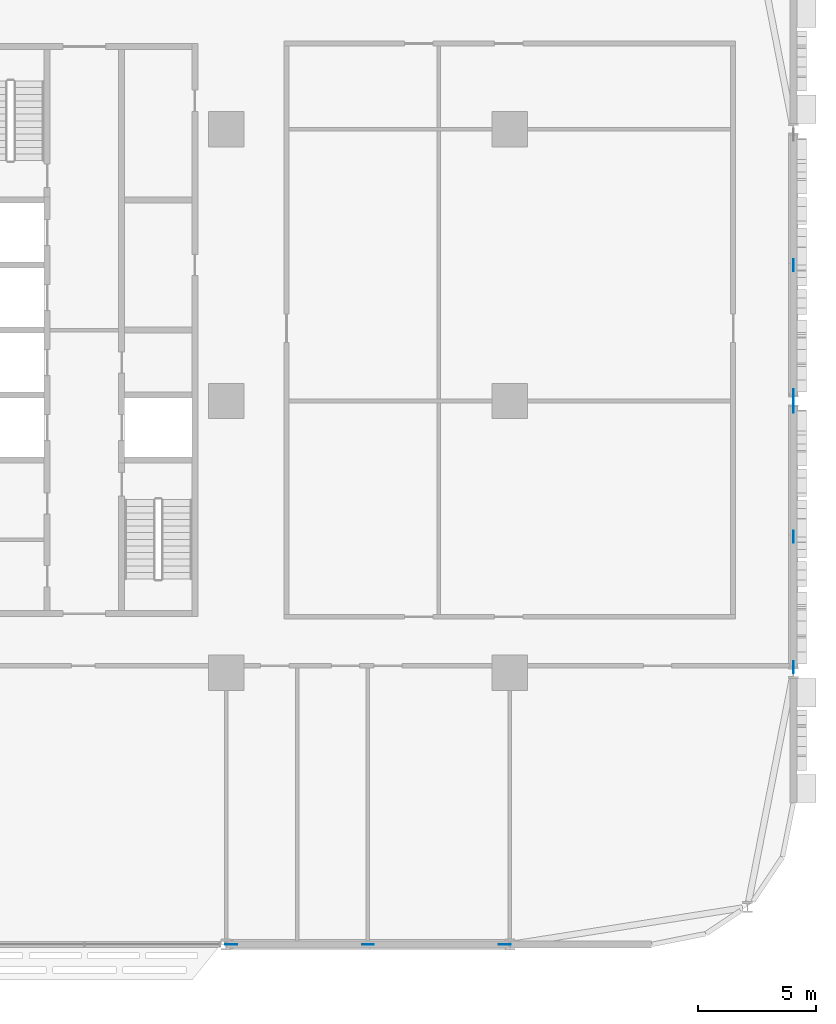
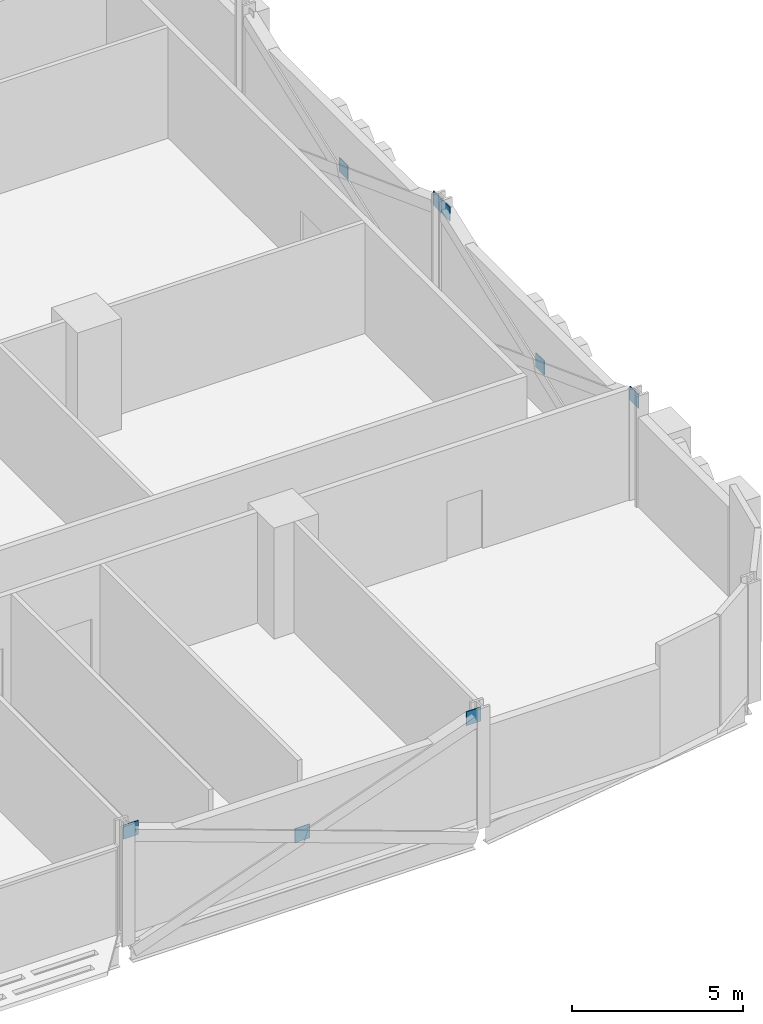
# One storey, part 22 of 29: 8 discrete accessories.
"""IFC4 building model written with IfcOpenShell, lengths in metres."""

import ifcopenshell
import ifcopenshell.guid

model = None  # the IFC model being written
_history = None  # IfcOwnerHistory: only IFC2X3 demands one
_inside = {}  # id of a spatial element -> (the spatial element, [elements in it])
_under = {}  # id of a project, library or spatial element -> (it, [spatial elements below it])
_declared = {}  # id of a project -> (the project, [libraries it declares])
_typed = {}  # id of a type object -> (the type object, [elements of that type])
_made_of = {}  # id of a material, layer set ... -> (it, [elements and type objects made of it])


def new_model(schema):
    """Start an empty IFC model of exactly this schema.

    Asked for "IFC4X3", IfcOpenShell would pick the latest addendum, in which some entities
    have other attributes; the version numbers below select the first issue.
    IFC2X3 requires an IfcOwnerHistory on every rooted entity: one is made here for all.
    """
    global model, _history
    if schema == "IFC4X3":
        model = ifcopenshell.file(schema_version=(4, 3, 0, 0))
    else:
        model = ifcopenshell.file(schema=schema)
    _inside.clear()
    _under.clear()
    _declared.clear()
    _typed.clear()
    _made_of.clear()
    _history = None
    if model.schema == "IFC2X3":
        org = make("IfcOrganization", Name="unknown")
        user = make(
            "IfcPersonAndOrganization",
            ThePerson=make("IfcPerson", FamilyName="unknown"),
            TheOrganization=org,
        )
        app = make(
            "IfcApplication",
            ApplicationDeveloper=org,
            Version="unknown",
            ApplicationFullName="unknown",
            ApplicationIdentifier="unknown",
        )
        _history = make(
            "IfcOwnerHistory",
            OwningUser=user,
            OwningApplication=app,
            ChangeAction="ADDED",
            CreationDate=0,
        )
    return model


def make(cls, **values):
    """One entity of the class cls with the attributes given. An attribute that is None is left unset."""
    return model.create_entity(
        cls, **{name: value for name, value in values.items() if value is not None}
    )


def rooted(cls, **values):
    """An entity with a GlobalId (a new one), such as an element, a storey or a relation."""
    return make(cls, GlobalId=ifcopenshell.guid.new(), OwnerHistory=_history, **values)


def si_unit(unit_type, name, prefix=None):
    """IfcSIUnit, for example si_unit("LENGTHUNIT", "METRE", prefix="MILLI")."""
    return make("IfcSIUnit", UnitType=unit_type, Prefix=prefix, Name=name)


def assignment(units):
    """IfcUnitAssignment: the units of a project."""
    return None if units is None else make("IfcUnitAssignment", Units=units)


def point(xyz):
    """IfcCartesianPoint."""
    return None if xyz is None else make("IfcCartesianPoint", Coordinates=xyz)


def direction(xyz):
    """IfcDirection."""
    return None if xyz is None else make("IfcDirection", DirectionRatios=xyz)


def frame(location, z_axis=None, x_axis=None):
    """IfcAxis2Placement3D, a coordinate frame: its origin and axes. An axis left out is left unset."""
    return make(
        "IfcAxis2Placement3D",
        Location=point(location),
        Axis=direction(z_axis),
        RefDirection=direction(x_axis),
    )


def frame_2d(location, x_axis=None):
    """IfcAxis2Placement2D, a coordinate frame in the plane: its origin and x axis."""
    return make(
        "IfcAxis2Placement2D", Location=point(location), RefDirection=direction(x_axis)
    )


def origin():
    """The frame at (0, 0, 0) with its axes left unset."""
    return frame((0.0, 0.0, 0.0))


def origin_2d():
    """The frame at (0, 0) in the plane with its x axis left unset."""
    return frame_2d((0.0, 0.0))


def place(relative_to, where):
    """IfcLocalPlacement: puts the frame where relative to a parent placement (None: the world)."""
    return make(
        "IfcLocalPlacement", PlacementRelTo=relative_to, RelativePlacement=where
    )


def context(
    kind, dimensions, precision=None, world=None, true_north=None, identifier=None
):
    """IfcGeometricRepresentationContext, for example the 3D "Model" context."""
    return make(
        "IfcGeometricRepresentationContext",
        ContextIdentifier=identifier,
        ContextType=kind,
        CoordinateSpaceDimension=dimensions,
        Precision=precision,
        WorldCoordinateSystem=world,
        TrueNorth=true_north,
    )


def subcontext(parent, identifier, kind, view, scale=None):
    """IfcGeometricRepresentationSubContext, for example "Body" below "Model"."""
    return make(
        "IfcGeometricRepresentationSubContext",
        ContextIdentifier=identifier,
        ContextType=kind,
        ParentContext=parent,
        TargetScale=scale,
        TargetView=view,
    )


def project(units=None, contexts=None):
    """IfcProject with its units and contexts."""
    return rooted(
        "IfcProject",
        Name="project",
        RepresentationContexts=contexts,
        UnitsInContext=assignment(units),
    )


def spatial(cls, under=None, at=None, **own):
    """A site, building, storey or space (cls), placed at a placement, below another one or the project."""
    s = rooted(cls, ObjectPlacement=at, **own)
    if under is not None:
        _under.setdefault(under.id(), (under, []))[1].append(s)
    return s


def profile(cls, at=None, kind="AREA", **sizes):
    """A parametric profile (cls). Its sizes go by their IFC names, for example OverallWidth=200.0."""
    return make(cls, ProfileType=kind, Position=at, **sizes)


def rectangle(**sizes):
    """IfcRectangleProfileDef."""
    return profile("IfcRectangleProfileDef", **sizes)


def extrude(swept, where, along, depth):
    """IfcExtrudedAreaSolid: the profile swept, set in the frame where, extruded along a direction by depth."""
    return make(
        "IfcExtrudedAreaSolid",
        SweptArea=swept,
        Position=where,
        ExtrudedDirection=direction(along),
        Depth=depth,
    )


def shape(context_of_items, identifier, shape_type, items):
    """IfcShapeRepresentation: the items that make up one representation, for example the "Body"."""
    return make(
        "IfcShapeRepresentation",
        ContextOfItems=context_of_items,
        RepresentationIdentifier=identifier,
        RepresentationType=shape_type,
        Items=items,
    )


def material(Name=None, Category=None):
    """IfcMaterial."""
    return make("IfcMaterial", Name=Name, Category=Category)


def layer(
    of_material, thickness, ventilated=None, Name=None, Category=None, Priority=None
):
    """IfcMaterialLayer: one layer of a wall or slab, of a material (None: an air gap)."""
    return make(
        "IfcMaterialLayer",
        Material=of_material,
        LayerThickness=thickness,
        IsVentilated=ventilated,
        Name=Name,
        Category=Category,
        Priority=Priority,
    )


def layer_set(layers, Name=None):
    """IfcMaterialLayerSet."""
    return make("IfcMaterialLayerSet", MaterialLayers=layers, LayerSetName=Name)


def made_of(thing, what):
    """Note that an element or type object is made of a material, layer set ...; save() writes the relation."""
    if what is not None:
        _made_of.setdefault(what.id(), (what, []))[1].append(thing)
    return thing


def type_object(cls, material=None, **own):
    """A type object (cls), such as IfcWallType, which elements share."""
    return made_of(rooted(cls, **own), material)


def element(
    cls,
    number,
    at=None,
    inside=None,
    cuts=None,
    type_object=None,
    material=None,
    context=None,
    identifier="Body",
    shape_type=None,
    held_by="IfcProductDefinitionShape",
    body=None,
    shapes=None,
    **own,
):
    """One element of the class cls, such as IfcWall. Its Tag is "e" and its number.

    at: its placement. inside: the storey or other place that contains it. cuts: it is an
    opening in that element (IfcRelVoidsElement). A single representation is given by context,
    identifier, shape_type and body (its items); several are given by shapes. held_by: the class
    of the entity that holds the representations. save() writes the other relations.
    """
    e = rooted(cls, Tag="e%d" % number, ObjectPlacement=at, **own)
    if body is not None:
        shapes = [shape(context, identifier, shape_type, body)]
    if shapes is not None:
        e.Representation = make(held_by, Representations=shapes)
    if inside is not None:
        _inside.setdefault(inside.id(), (inside, []))[1].append(e)
    if cuts is not None:
        rooted(
            "IfcRelVoidsElement", RelatingBuildingElement=cuts, RelatedOpeningElement=e
        )
    if type_object is not None:
        _typed.setdefault(type_object.id(), (type_object, []))[1].append(e)
    return made_of(e, material)


def aggregate(whole, parts):
    """IfcRelAggregates: a whole, such as a stair, and the parts it consists of."""
    return rooted("IfcRelAggregates", RelatingObject=whole, RelatedObjects=parts)


def save(model, path):
    """Write the relations noted so far, then the file.

    IfcRelAggregates (storeys below a building ...), IfcRelContainedInSpatialStructure (elements
    in a storey), IfcRelDefinesByType, IfcRelAssociatesMaterial and IfcRelDeclares: one each for
    every whole, place, type object, material and project.
    """
    for whole, parts in _under.values():
        aggregate(whole, parts)
    for where, things in _inside.values():
        rooted(
            "IfcRelContainedInSpatialStructure",
            RelatedElements=things,
            RelatingStructure=where,
        )
    for kind, things in _typed.values():
        rooted("IfcRelDefinesByType", RelatedObjects=things, RelatingType=kind)
    for what, things in _made_of.values():
        rooted("IfcRelAssociatesMaterial", RelatedObjects=things, RelatingMaterial=what)
    for by, libraries in _declared.values():
        rooted("IfcRelDeclares", RelatingContext=by, RelatedDefinitions=libraries)
    model.write(path)


model = new_model("IFC4")

# Units and contexts
model_context = context("Model", 3, precision=1e-05, world=origin(), true_north=direction((0.0, 1.0)))
body_context = subcontext(model_context, "Body", "Model", "MODEL_VIEW")
ifc_project = project(units=[si_unit("LENGTHUNIT", "METRE"), si_unit("AREAUNIT", "SQUARE_METRE"), si_unit("VOLUMEUNIT", "CUBIC_METRE"), si_unit("PLANEANGLEUNIT", "RADIAN"), si_unit("MASSUNIT", "GRAM", prefix="KILO")], contexts=[model_context])

# Site, building, storey
site_placement = place(None, origin())
site = spatial("IfcSite", under=ifc_project, at=site_placement, CompositionType="ELEMENT")
building_placement = place(site_placement, origin())
building = spatial("IfcBuilding", under=site, at=building_placement, Name="Mahtab Terrace Research Tower", CompositionType="ELEMENT")
storey_placement = place(building_placement, frame((0.0, 0.0, 67.5)))
storey = spatial("IfcBuildingStorey", under=building, at=storey_placement, Name="L15", CompositionType="ELEMENT", Elevation=67.5)

# Discrete accessories
ifc_material = material(Name="Steel ASTM A992 Gr 50", Category="steel")
ifc_layer = layer(ifc_material, 0.030029296875)
ifc_layer_set = layer_set([ifc_layer], Name="Gusset plate 500x500x30")
discrete_accessory_type = type_object("IfcDiscreteAccessoryType", Name="Gusset plate 500x500x30", PredefinedType="USERDEFINED", material=ifc_layer_set)
for number, where, z_axis, x_axis, name in (
    (1, (30.212158203125, -23.0, 3.33154296875), (0.0, 0.0, 1.0), (1.0, 0.0, 0.0), "Gusset plate"),
    (2, (36.0, -23.0, 1.181396484375), (0.0, 0.0, 1.0), (1.0, 0.0, 0.0), "Gusset plate"),
    (3, (41.787841796875, -23.0, 3.33154296875), (0.0, 0.0, 1.0), (1.0, 0.0, 0.0), "Gusset plate"),
    (4, (54.0, -11.262451171875, 3.33154296875), (0.0, 0.0, 1.0), (0.0, 1.0, 0.0), "Gusset plate"),
    (5, (54.0, -5.75, 1.181396484375), (0.0, 0.0, 1.0), (0.0, 1.0, 0.0), "Gusset plate"),
    (6, (54.0, -0.237548828125, 3.33154296875), (0.0, 0.0, 1.0), (0.0, 1.0, 0.0), "Gusset plate"),
    (7, (54.0, 0.237548828125, 3.33154296875), (0.0, 0.0, 1.0), (0.0, 1.0, 0.0), "Gusset plate"),
    (8, (54.0, 5.75, 1.181396484375), (0.0, 0.0, 1.0), (0.0, 1.0, 0.0), "Gusset plate"),
):
    element("IfcDiscreteAccessory", number, at=place(storey_placement, frame(where, z_axis=z_axis, x_axis=x_axis)), inside=storey, type_object=discrete_accessory_type, Name=name, ObjectType="GUSSET PLATE", PredefinedType="USERDEFINED", context=body_context, shape_type="SweptSolid", body=[
        extrude(rectangle(XDim=0.5, YDim=0.030029296875, at=origin_2d()), origin(), (0.0, 0.0, 1.0), 0.5),
    ])

save(model, "model.ifc")
